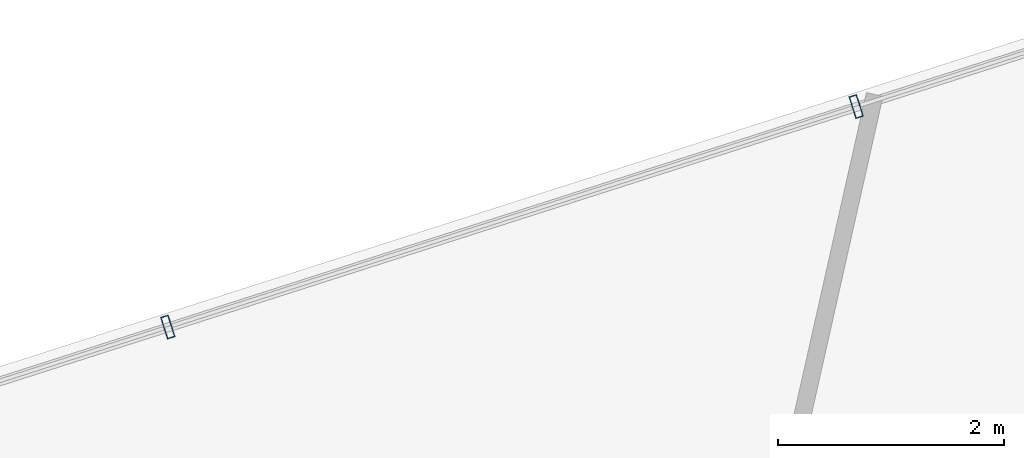
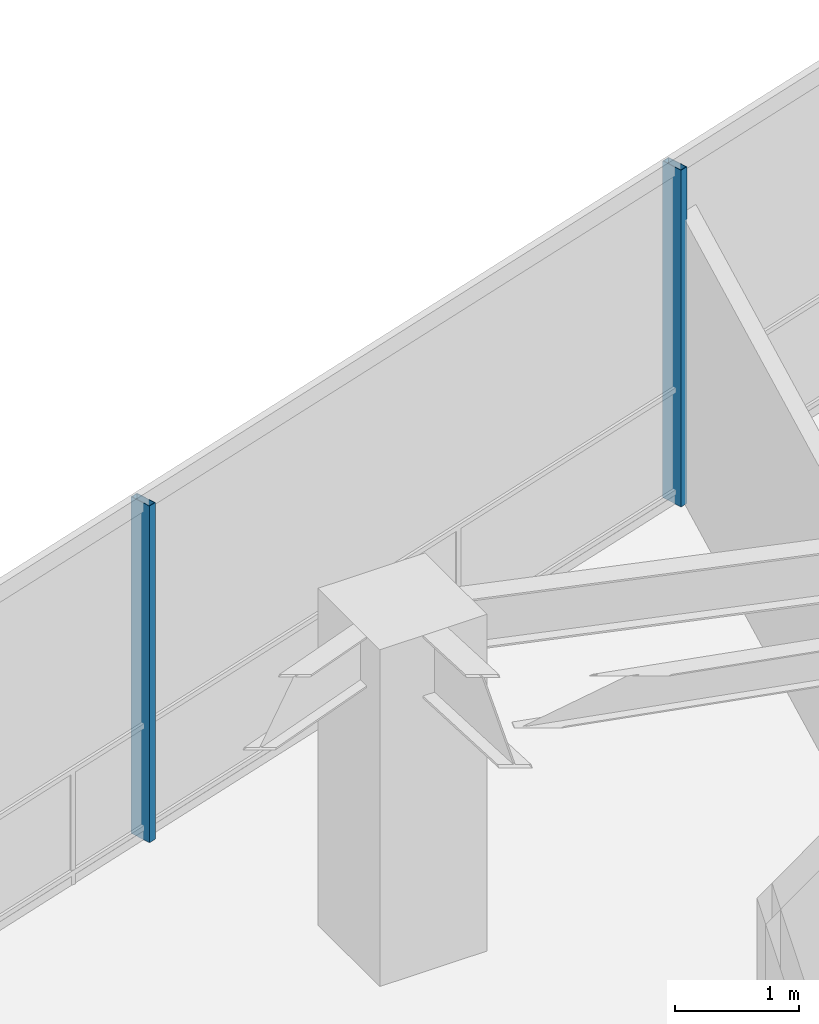
# One storey, part 14 of 21: 2 members, 1 element without a shape of its own.
"""IFC4 building model written with IfcOpenShell, lengths in metres."""

import ifcopenshell
import ifcopenshell.guid

model = None  # the IFC model being written
_history = None  # IfcOwnerHistory: only IFC2X3 demands one
_inside = {}  # id of a spatial element -> (the spatial element, [elements in it])
_under = {}  # id of a project, library or spatial element -> (it, [spatial elements below it])
_declared = {}  # id of a project -> (the project, [libraries it declares])
_typed = {}  # id of a type object -> (the type object, [elements of that type])
_made_of = {}  # id of a material, layer set ... -> (it, [elements and type objects made of it])


def new_model(schema):
    """Start an empty IFC model of exactly this schema.

    Asked for "IFC4X3", IfcOpenShell would pick the latest addendum, in which some entities
    have other attributes; the version numbers below select the first issue.
    IFC2X3 requires an IfcOwnerHistory on every rooted entity: one is made here for all.
    """
    global model, _history
    if schema == "IFC4X3":
        model = ifcopenshell.file(schema_version=(4, 3, 0, 0))
    else:
        model = ifcopenshell.file(schema=schema)
    _inside.clear()
    _under.clear()
    _declared.clear()
    _typed.clear()
    _made_of.clear()
    _history = None
    if model.schema == "IFC2X3":
        org = make("IfcOrganization", Name="unknown")
        user = make(
            "IfcPersonAndOrganization",
            ThePerson=make("IfcPerson", FamilyName="unknown"),
            TheOrganization=org,
        )
        app = make(
            "IfcApplication",
            ApplicationDeveloper=org,
            Version="unknown",
            ApplicationFullName="unknown",
            ApplicationIdentifier="unknown",
        )
        _history = make(
            "IfcOwnerHistory",
            OwningUser=user,
            OwningApplication=app,
            ChangeAction="ADDED",
            CreationDate=0,
        )
    return model


def make(cls, **values):
    """One entity of the class cls with the attributes given. An attribute that is None is left unset."""
    return model.create_entity(
        cls, **{name: value for name, value in values.items() if value is not None}
    )


def rooted(cls, **values):
    """An entity with a GlobalId (a new one), such as an element, a storey or a relation."""
    return make(cls, GlobalId=ifcopenshell.guid.new(), OwnerHistory=_history, **values)


def si_unit(unit_type, name, prefix=None):
    """IfcSIUnit, for example si_unit("LENGTHUNIT", "METRE", prefix="MILLI")."""
    return make("IfcSIUnit", UnitType=unit_type, Prefix=prefix, Name=name)


def assignment(units):
    """IfcUnitAssignment: the units of a project."""
    return None if units is None else make("IfcUnitAssignment", Units=units)


def point(xyz):
    """IfcCartesianPoint."""
    return None if xyz is None else make("IfcCartesianPoint", Coordinates=xyz)


def direction(xyz):
    """IfcDirection."""
    return None if xyz is None else make("IfcDirection", DirectionRatios=xyz)


def frame(location, z_axis=None, x_axis=None):
    """IfcAxis2Placement3D, a coordinate frame: its origin and axes. An axis left out is left unset."""
    return make(
        "IfcAxis2Placement3D",
        Location=point(location),
        Axis=direction(z_axis),
        RefDirection=direction(x_axis),
    )


def frame_2d(location, x_axis=None):
    """IfcAxis2Placement2D, a coordinate frame in the plane: its origin and x axis."""
    return make(
        "IfcAxis2Placement2D", Location=point(location), RefDirection=direction(x_axis)
    )


def origin():
    """The frame at (0, 0, 0) with its axes left unset."""
    return frame((0.0, 0.0, 0.0))


def origin_2d():
    """The frame at (0, 0) in the plane with its x axis left unset."""
    return frame_2d((0.0, 0.0))


def place(relative_to, where):
    """IfcLocalPlacement: puts the frame where relative to a parent placement (None: the world)."""
    return make(
        "IfcLocalPlacement", PlacementRelTo=relative_to, RelativePlacement=where
    )


def context(
    kind, dimensions, precision=None, world=None, true_north=None, identifier=None
):
    """IfcGeometricRepresentationContext, for example the 3D "Model" context."""
    return make(
        "IfcGeometricRepresentationContext",
        ContextIdentifier=identifier,
        ContextType=kind,
        CoordinateSpaceDimension=dimensions,
        Precision=precision,
        WorldCoordinateSystem=world,
        TrueNorth=true_north,
    )


def subcontext(parent, identifier, kind, view, scale=None):
    """IfcGeometricRepresentationSubContext, for example "Body" below "Model"."""
    return make(
        "IfcGeometricRepresentationSubContext",
        ContextIdentifier=identifier,
        ContextType=kind,
        ParentContext=parent,
        TargetScale=scale,
        TargetView=view,
    )


def project(units=None, contexts=None):
    """IfcProject with its units and contexts."""
    return rooted(
        "IfcProject",
        Name="project",
        RepresentationContexts=contexts,
        UnitsInContext=assignment(units),
    )


def spatial(cls, under=None, at=None, **own):
    """A site, building, storey or space (cls), placed at a placement, below another one or the project."""
    s = rooted(cls, ObjectPlacement=at, **own)
    if under is not None:
        _under.setdefault(under.id(), (under, []))[1].append(s)
    return s


def profile(cls, at=None, kind="AREA", **sizes):
    """A parametric profile (cls). Its sizes go by their IFC names, for example OverallWidth=200.0."""
    return make(cls, ProfileType=kind, Position=at, **sizes)


def hollow_rectangle(**sizes):
    """IfcRectangleHollowProfileDef."""
    return profile("IfcRectangleHollowProfileDef", **sizes)


def extrude(swept, where, along, depth):
    """IfcExtrudedAreaSolid: the profile swept, set in the frame where, extruded along a direction by depth."""
    return make(
        "IfcExtrudedAreaSolid",
        SweptArea=swept,
        Position=where,
        ExtrudedDirection=direction(along),
        Depth=depth,
    )


def shape(context_of_items, identifier, shape_type, items):
    """IfcShapeRepresentation: the items that make up one representation, for example the "Body"."""
    return make(
        "IfcShapeRepresentation",
        ContextOfItems=context_of_items,
        RepresentationIdentifier=identifier,
        RepresentationType=shape_type,
        Items=items,
    )


def material(Name=None, Category=None):
    """IfcMaterial."""
    return make("IfcMaterial", Name=Name, Category=Category)


def layer(
    of_material, thickness, ventilated=None, Name=None, Category=None, Priority=None
):
    """IfcMaterialLayer: one layer of a wall or slab, of a material (None: an air gap)."""
    return make(
        "IfcMaterialLayer",
        Material=of_material,
        LayerThickness=thickness,
        IsVentilated=ventilated,
        Name=Name,
        Category=Category,
        Priority=Priority,
    )


def layer_set(layers, Name=None):
    """IfcMaterialLayerSet."""
    return make("IfcMaterialLayerSet", MaterialLayers=layers, LayerSetName=Name)


def material_profile(
    of_material, cross_section, Name=None, Category=None, Priority=None
):
    """IfcMaterialProfile: a cross section and its material."""
    return make(
        "IfcMaterialProfile",
        Name=Name,
        Material=of_material,
        Profile=cross_section,
        Priority=Priority,
        Category=Category,
    )


def profile_set(profiles, Name=None, composite=None):
    """IfcMaterialProfileSet."""
    return make(
        "IfcMaterialProfileSet",
        Name=Name,
        MaterialProfiles=profiles,
        CompositeProfile=composite,
    )


def made_of(thing, what):
    """Note that an element or type object is made of a material, layer set ...; save() writes the relation."""
    if what is not None:
        _made_of.setdefault(what.id(), (what, []))[1].append(thing)
    return thing


def type_object(cls, material=None, **own):
    """A type object (cls), such as IfcWallType, which elements share."""
    return made_of(rooted(cls, **own), material)


def element(
    cls,
    number,
    at=None,
    inside=None,
    cuts=None,
    type_object=None,
    material=None,
    context=None,
    identifier="Body",
    shape_type=None,
    held_by="IfcProductDefinitionShape",
    body=None,
    shapes=None,
    **own,
):
    """One element of the class cls, such as IfcWall. Its Tag is "e" and its number.

    at: its placement. inside: the storey or other place that contains it. cuts: it is an
    opening in that element (IfcRelVoidsElement). A single representation is given by context,
    identifier, shape_type and body (its items); several are given by shapes. held_by: the class
    of the entity that holds the representations. save() writes the other relations.
    """
    e = rooted(cls, Tag="e%d" % number, ObjectPlacement=at, **own)
    if body is not None:
        shapes = [shape(context, identifier, shape_type, body)]
    if shapes is not None:
        e.Representation = make(held_by, Representations=shapes)
    if inside is not None:
        _inside.setdefault(inside.id(), (inside, []))[1].append(e)
    if cuts is not None:
        rooted(
            "IfcRelVoidsElement", RelatingBuildingElement=cuts, RelatedOpeningElement=e
        )
    if type_object is not None:
        _typed.setdefault(type_object.id(), (type_object, []))[1].append(e)
    return made_of(e, material)


def aggregate(whole, parts):
    """IfcRelAggregates: a whole, such as a stair, and the parts it consists of."""
    return rooted("IfcRelAggregates", RelatingObject=whole, RelatedObjects=parts)


def save(model, path):
    """Write the relations noted so far, then the file.

    IfcRelAggregates (storeys below a building ...), IfcRelContainedInSpatialStructure (elements
    in a storey), IfcRelDefinesByType, IfcRelAssociatesMaterial and IfcRelDeclares: one each for
    every whole, place, type object, material and project.
    """
    for whole, parts in _under.values():
        aggregate(whole, parts)
    for where, things in _inside.values():
        rooted(
            "IfcRelContainedInSpatialStructure",
            RelatedElements=things,
            RelatingStructure=where,
        )
    for kind, things in _typed.values():
        rooted("IfcRelDefinesByType", RelatedObjects=things, RelatingType=kind)
    for what, things in _made_of.values():
        rooted("IfcRelAssociatesMaterial", RelatedObjects=things, RelatingMaterial=what)
    for by, libraries in _declared.values():
        rooted("IfcRelDeclares", RelatingContext=by, RelatedDefinitions=libraries)
    model.write(path)


model = new_model("IFC4")

# Units and contexts
model_context = context("Model", 3, precision=1e-05, world=origin(), true_north=direction((0.0, 1.0)))
body_context = subcontext(model_context, "Body", "Model", "MODEL_VIEW")
ifc_project = project(units=[si_unit("LENGTHUNIT", "METRE"), si_unit("AREAUNIT", "SQUARE_METRE"), si_unit("VOLUMEUNIT", "CUBIC_METRE"), si_unit("PLANEANGLEUNIT", "RADIAN"), si_unit("MASSUNIT", "GRAM", prefix="KILO")], contexts=[model_context])

# Site, building, storey
site_placement = place(None, origin())
site = spatial("IfcSite", under=ifc_project, at=site_placement, CompositionType="ELEMENT")
building_placement = place(site_placement, origin())
building = spatial("IfcBuilding", under=site, at=building_placement, Name="Qarnah Convention Tower", CompositionType="ELEMENT")
storey_placement = place(building_placement, frame((0.0, 0.0, 132.89990234375)))
storey = spatial("IfcBuildingStorey", under=building, at=storey_placement, Name="L35", CompositionType="ELEMENT", Elevation=132.89990234375)

# Curtain wall, members
ifc_material_1 = material(Name="Tempered Low-E dark glass", Category="glass")
ifc_layer = layer(ifc_material_1, 0.172119140625)
ifc_layer_set = layer_set([ifc_layer], Name="Tempered Low-E dark glass")
curtain_wall_type = type_object("IfcCurtainWallType", Name="CWS-03", PredefinedType="NOTDEFINED", material=ifc_layer_set)
curtain_wall_placement = place(storey_placement, origin())
curtain_wall = element("IfcCurtainWall", 1, at=curtain_wall_placement, inside=storey, type_object=curtain_wall_type, Name="L35 unitised curtain wall CW-L35-F2", PredefinedType="NOTDEFINED")
ifc_material_2 = material(Name="Black anodised aluminium", Category="aluminium")
ifc_material_profile = material_profile(ifc_material_2, hollow_rectangle(XDim=0.070068359375, YDim=0.199951171875, WallThickness=0.0048828125, at=origin_2d()), Name="MUL-70X200")
ifc_profile_set = profile_set([ifc_material_profile], Name="Black anodised aluminium")
member_type = type_object("IfcMemberType", Name="MUL-T3", PredefinedType="MULLION", material=ifc_profile_set)
member_1_placement = place(storey_placement, frame((35.585693359375, 43.529296875, 0.0), z_axis=(0.0, 0.0, 1.0), x_axis=(0.952343406787, 0.305027925851, 0.0)))
member_1 = element("IfcMember", 2, at=member_1_placement, type_object=member_type, Name="CW-L35-F2 mullion 4", PredefinedType="MULLION", context=body_context, shape_type="SweptSolid", body=[
    extrude(hollow_rectangle(XDim=0.070068359375, YDim=0.199951171875, WallThickness=0.0048828125, at=origin_2d()), origin(), (0.0, 0.0, 1.0), 3.320068359375),
])
member_2_placement = place(storey_placement, frame((41.668701171875, 45.4775390625, 0.0), z_axis=(0.0, 0.0, 1.0), x_axis=(0.952343406787, 0.305027925851, 0.0)))
member_2 = element("IfcMember", 3, at=member_2_placement, type_object=member_type, Name="CW-L35-F2 mullion 5", PredefinedType="MULLION", context=body_context, shape_type="SweptSolid", body=[
    extrude(hollow_rectangle(XDim=0.070068359375, YDim=0.199951171875, WallThickness=0.0048828125, at=origin_2d()), origin(), (0.0, 0.0, 1.0), 3.320068359375),
])
aggregate(curtain_wall, [member_1, member_2])

save(model, "model.ifc")
